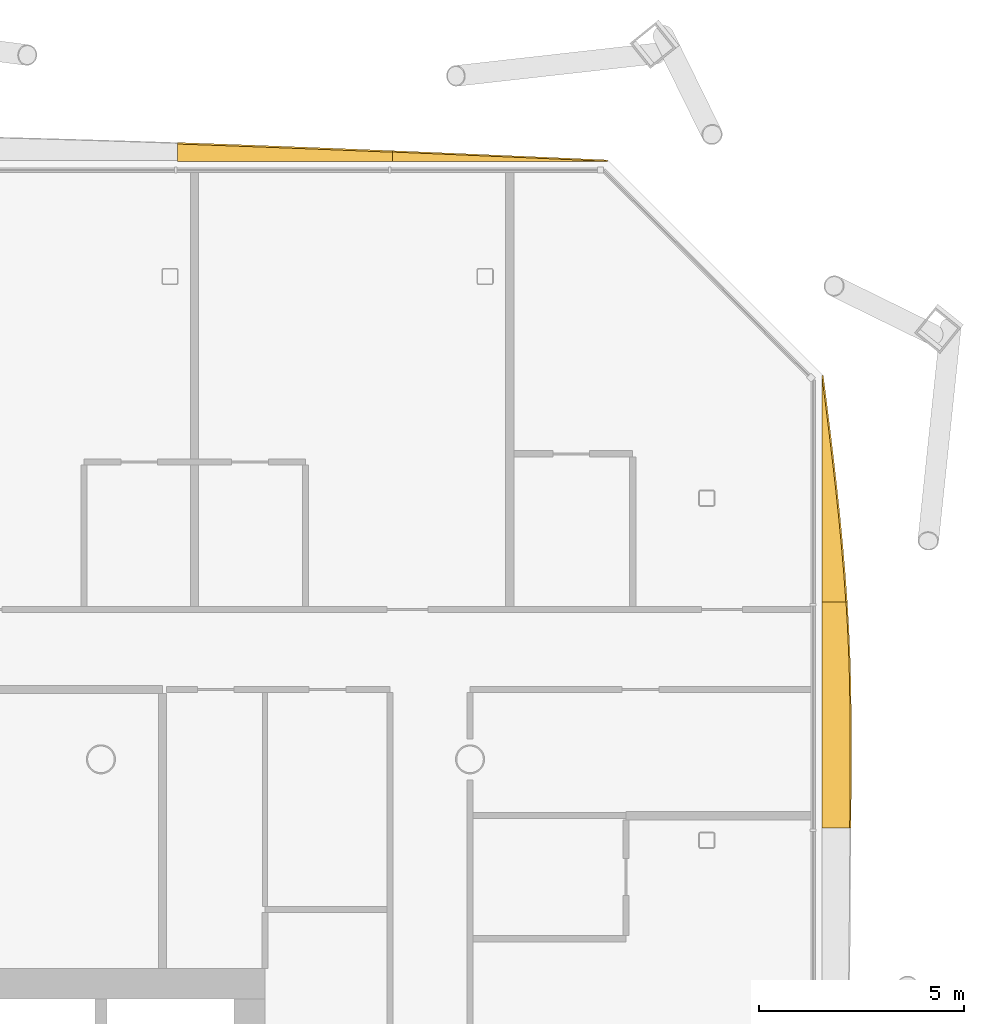
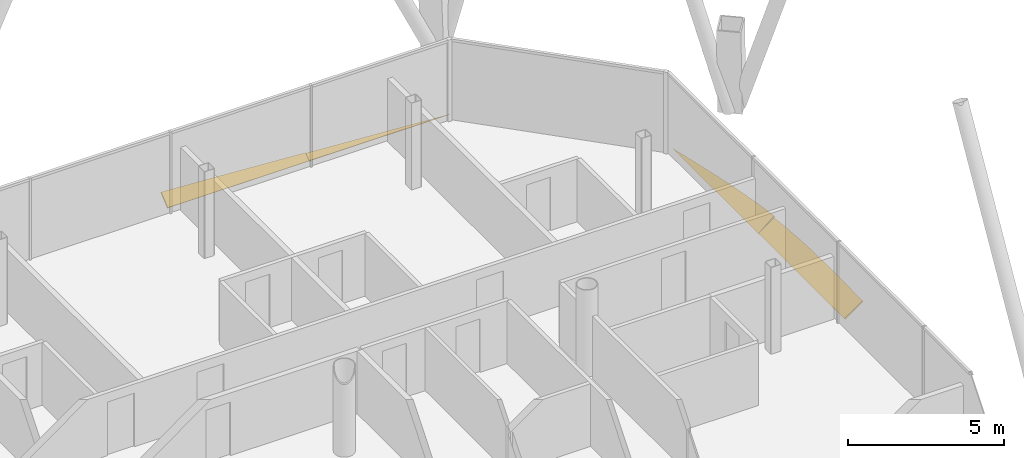
# One storey, part 22 of 22: 4 shading devices.
"""IFC4 building model written with IfcOpenShell, lengths in metres."""

import ifcopenshell
import ifcopenshell.guid

model = None  # the IFC model being written
_history = None  # IfcOwnerHistory: only IFC2X3 demands one
_inside = {}  # id of a spatial element -> (the spatial element, [elements in it])
_under = {}  # id of a project, library or spatial element -> (it, [spatial elements below it])
_declared = {}  # id of a project -> (the project, [libraries it declares])
_typed = {}  # id of a type object -> (the type object, [elements of that type])
_made_of = {}  # id of a material, layer set ... -> (it, [elements and type objects made of it])


def new_model(schema):
    """Start an empty IFC model of exactly this schema.

    Asked for "IFC4X3", IfcOpenShell would pick the latest addendum, in which some entities
    have other attributes; the version numbers below select the first issue.
    IFC2X3 requires an IfcOwnerHistory on every rooted entity: one is made here for all.
    """
    global model, _history
    if schema == "IFC4X3":
        model = ifcopenshell.file(schema_version=(4, 3, 0, 0))
    else:
        model = ifcopenshell.file(schema=schema)
    _inside.clear()
    _under.clear()
    _declared.clear()
    _typed.clear()
    _made_of.clear()
    _history = None
    if model.schema == "IFC2X3":
        org = make("IfcOrganization", Name="unknown")
        user = make(
            "IfcPersonAndOrganization",
            ThePerson=make("IfcPerson", FamilyName="unknown"),
            TheOrganization=org,
        )
        app = make(
            "IfcApplication",
            ApplicationDeveloper=org,
            Version="unknown",
            ApplicationFullName="unknown",
            ApplicationIdentifier="unknown",
        )
        _history = make(
            "IfcOwnerHistory",
            OwningUser=user,
            OwningApplication=app,
            ChangeAction="ADDED",
            CreationDate=0,
        )
    return model


def make(cls, **values):
    """One entity of the class cls with the attributes given. An attribute that is None is left unset."""
    return model.create_entity(
        cls, **{name: value for name, value in values.items() if value is not None}
    )


def rooted(cls, **values):
    """An entity with a GlobalId (a new one), such as an element, a storey or a relation."""
    return make(cls, GlobalId=ifcopenshell.guid.new(), OwnerHistory=_history, **values)


def si_unit(unit_type, name, prefix=None):
    """IfcSIUnit, for example si_unit("LENGTHUNIT", "METRE", prefix="MILLI")."""
    return make("IfcSIUnit", UnitType=unit_type, Prefix=prefix, Name=name)


def assignment(units):
    """IfcUnitAssignment: the units of a project."""
    return None if units is None else make("IfcUnitAssignment", Units=units)


def point(xyz):
    """IfcCartesianPoint."""
    return None if xyz is None else make("IfcCartesianPoint", Coordinates=xyz)


def direction(xyz):
    """IfcDirection."""
    return None if xyz is None else make("IfcDirection", DirectionRatios=xyz)


def frame(location, z_axis=None, x_axis=None):
    """IfcAxis2Placement3D, a coordinate frame: its origin and axes. An axis left out is left unset."""
    return make(
        "IfcAxis2Placement3D",
        Location=point(location),
        Axis=direction(z_axis),
        RefDirection=direction(x_axis),
    )


def origin():
    """The frame at (0, 0, 0) with its axes left unset."""
    return frame((0.0, 0.0, 0.0))


def place(relative_to, where):
    """IfcLocalPlacement: puts the frame where relative to a parent placement (None: the world)."""
    return make(
        "IfcLocalPlacement", PlacementRelTo=relative_to, RelativePlacement=where
    )


def context(
    kind, dimensions, precision=None, world=None, true_north=None, identifier=None
):
    """IfcGeometricRepresentationContext, for example the 3D "Model" context."""
    return make(
        "IfcGeometricRepresentationContext",
        ContextIdentifier=identifier,
        ContextType=kind,
        CoordinateSpaceDimension=dimensions,
        Precision=precision,
        WorldCoordinateSystem=world,
        TrueNorth=true_north,
    )


def subcontext(parent, identifier, kind, view, scale=None):
    """IfcGeometricRepresentationSubContext, for example "Body" below "Model"."""
    return make(
        "IfcGeometricRepresentationSubContext",
        ContextIdentifier=identifier,
        ContextType=kind,
        ParentContext=parent,
        TargetScale=scale,
        TargetView=view,
    )


def project(units=None, contexts=None):
    """IfcProject with its units and contexts."""
    return rooted(
        "IfcProject",
        Name="project",
        RepresentationContexts=contexts,
        UnitsInContext=assignment(units),
    )


def spatial(cls, under=None, at=None, **own):
    """A site, building, storey or space (cls), placed at a placement, below another one or the project."""
    s = rooted(cls, ObjectPlacement=at, **own)
    if under is not None:
        _under.setdefault(under.id(), (under, []))[1].append(s)
    return s


def polyline(points):
    """IfcPolyline through the points."""
    return make("IfcPolyline", Points=[point(p) for p in points])


def outline(outer, holes=None, kind="AREA"):
    """IfcArbitraryClosedProfileDef: a profile drawn as a closed curve; with holes, ...WithVoids."""
    if holes is None:
        return make("IfcArbitraryClosedProfileDef", ProfileType=kind, OuterCurve=outer)
    return make(
        "IfcArbitraryProfileDefWithVoids",
        ProfileType=kind,
        OuterCurve=outer,
        InnerCurves=holes,
    )


def extrude(swept, where, along, depth):
    """IfcExtrudedAreaSolid: the profile swept, set in the frame where, extruded along a direction by depth."""
    return make(
        "IfcExtrudedAreaSolid",
        SweptArea=swept,
        Position=where,
        ExtrudedDirection=direction(along),
        Depth=depth,
    )


def shape(context_of_items, identifier, shape_type, items):
    """IfcShapeRepresentation: the items that make up one representation, for example the "Body"."""
    return make(
        "IfcShapeRepresentation",
        ContextOfItems=context_of_items,
        RepresentationIdentifier=identifier,
        RepresentationType=shape_type,
        Items=items,
    )


def material(Name=None, Category=None):
    """IfcMaterial."""
    return make("IfcMaterial", Name=Name, Category=Category)


def layer(
    of_material, thickness, ventilated=None, Name=None, Category=None, Priority=None
):
    """IfcMaterialLayer: one layer of a wall or slab, of a material (None: an air gap)."""
    return make(
        "IfcMaterialLayer",
        Material=of_material,
        LayerThickness=thickness,
        IsVentilated=ventilated,
        Name=Name,
        Category=Category,
        Priority=Priority,
    )


def layer_set(layers, Name=None):
    """IfcMaterialLayerSet."""
    return make("IfcMaterialLayerSet", MaterialLayers=layers, LayerSetName=Name)


def made_of(thing, what):
    """Note that an element or type object is made of a material, layer set ...; save() writes the relation."""
    if what is not None:
        _made_of.setdefault(what.id(), (what, []))[1].append(thing)
    return thing


def type_object(cls, material=None, **own):
    """A type object (cls), such as IfcWallType, which elements share."""
    return made_of(rooted(cls, **own), material)


def element(
    cls,
    number,
    at=None,
    inside=None,
    cuts=None,
    type_object=None,
    material=None,
    context=None,
    identifier="Body",
    shape_type=None,
    held_by="IfcProductDefinitionShape",
    body=None,
    shapes=None,
    **own,
):
    """One element of the class cls, such as IfcWall. Its Tag is "e" and its number.

    at: its placement. inside: the storey or other place that contains it. cuts: it is an
    opening in that element (IfcRelVoidsElement). A single representation is given by context,
    identifier, shape_type and body (its items); several are given by shapes. held_by: the class
    of the entity that holds the representations. save() writes the other relations.
    """
    e = rooted(cls, Tag="e%d" % number, ObjectPlacement=at, **own)
    if body is not None:
        shapes = [shape(context, identifier, shape_type, body)]
    if shapes is not None:
        e.Representation = make(held_by, Representations=shapes)
    if inside is not None:
        _inside.setdefault(inside.id(), (inside, []))[1].append(e)
    if cuts is not None:
        rooted(
            "IfcRelVoidsElement", RelatingBuildingElement=cuts, RelatedOpeningElement=e
        )
    if type_object is not None:
        _typed.setdefault(type_object.id(), (type_object, []))[1].append(e)
    return made_of(e, material)


def aggregate(whole, parts):
    """IfcRelAggregates: a whole, such as a stair, and the parts it consists of."""
    return rooted("IfcRelAggregates", RelatingObject=whole, RelatedObjects=parts)


def save(model, path):
    """Write the relations noted so far, then the file.

    IfcRelAggregates (storeys below a building ...), IfcRelContainedInSpatialStructure (elements
    in a storey), IfcRelDefinesByType, IfcRelAssociatesMaterial and IfcRelDeclares: one each for
    every whole, place, type object, material and project.
    """
    for whole, parts in _under.values():
        aggregate(whole, parts)
    for where, things in _inside.values():
        rooted(
            "IfcRelContainedInSpatialStructure",
            RelatedElements=things,
            RelatingStructure=where,
        )
    for kind, things in _typed.values():
        rooted("IfcRelDefinesByType", RelatedObjects=things, RelatingType=kind)
    for what, things in _made_of.values():
        rooted("IfcRelAssociatesMaterial", RelatedObjects=things, RelatingMaterial=what)
    for by, libraries in _declared.values():
        rooted("IfcRelDeclares", RelatingContext=by, RelatedDefinitions=libraries)
    model.write(path)


model = new_model("IFC4")

# Units and contexts
model_context = context("Model", 3, precision=1e-05, world=origin(), true_north=direction((0.0, 1.0)))
body_context = subcontext(model_context, "Body", "Model", "MODEL_VIEW")
ifc_project = project(units=[si_unit("LENGTHUNIT", "METRE"), si_unit("AREAUNIT", "SQUARE_METRE"), si_unit("VOLUMEUNIT", "CUBIC_METRE"), si_unit("PLANEANGLEUNIT", "RADIAN"), si_unit("MASSUNIT", "GRAM", prefix="KILO")], contexts=[model_context])

# Site, building, storey
site_placement = place(None, origin())
site = spatial("IfcSite", under=ifc_project, at=site_placement, CompositionType="ELEMENT")
building_placement = place(site_placement, origin())
building = spatial("IfcBuilding", under=site, at=building_placement, Name="Tskaro Facet Tower", CompositionType="ELEMENT")
storey_placement = place(building_placement, frame((0.0, 0.0, 121.5)))
storey = spatial("IfcBuildingStorey", under=building, at=storey_placement, Name="L28", CompositionType="ELEMENT", Elevation=121.5)

# Shading devices
ifc_material = material(Name="Bronze anodised aluminium 6063-T6", Category="aluminium")
ifc_layer = layer(ifc_material, 0.06005859375, Name="Bronze anodised aluminium 6063-T6")
ifc_layer_set = layer_set([ifc_layer], Name="Bronze anodised aluminium 6063-T6")
shading_device_type = type_object("IfcShadingDeviceType", Name="Bronze sun blade (FN1)", PredefinedType="USERDEFINED", material=ifc_layer_set)
shading_device_1_placement = place(storey_placement, frame((26.58251953125, 7.32080078125, 0.049072265625), z_axis=(-0.573615232666, 9.26294e-07, 0.819124877447), x_axis=(5.31337e-07, 1.0, -7.58751e-07)))
element("IfcShadingDevice", 1, at=shading_device_1_placement, inside=storey, type_object=shading_device_type, Name="Fin blade east 6", ObjectType="FIN", PredefinedType="USERDEFINED", context=body_context, shape_type="SweptSolid", body=[
    extrude(outline(polyline([(0.0, 0.0), (5.518066406247633, 0.0), (5.518066406222882, -0.7141478434516543), (4.828369140514058, -0.7633897799184777), (4.138427734289215, -0.8000312032425329), (3.4487304689093956, -0.8233920645419279), (2.7590332031751945, -0.8330124616194772), (2.615478515619735, -0.8333524860604229), (2.0693359375504903, -0.8330124616194772), (1.379394531207908, -0.8315924249775739), (0.6896972656568883, -0.8291523150128335), (-4.25307914997846e-11, -0.8256321928471355), (0.0, 0.0)])), origin(), (0.0, 0.0, -1.0), 0.06005859375),
])
shading_device_2_placement = place(storey_placement, frame((26.578369140625, 12.8388671875, 0.0458984375), z_axis=(-0.642788075739, 1.6754483e-05, 0.766044051871), x_axis=(1.0769582e-05, 0.99999999986, -1.2834672e-05)))
element("IfcShadingDevice", 2, at=shading_device_2_placement, inside=storey, type_object=shading_device_type, Name="Fin blade east 7", ObjectType="FIN", PredefinedType="USERDEFINED", context=body_context, shape_type="SweptSolid", body=[
    extrude(outline(polyline([(0.0, 0.0), (5.518066405475505, -9.347968102461766e-21), (4.828369140690378, -0.1143772034875262), (4.13867187579682, -0.22684761872040943), (3.4487304669279704, -0.3356613881265821), (2.759033204121553, -0.4387848845598781), (2.069335934614484, -0.5345950893397531), (1.379638671948968, -0.6217763734234991), (0.6896972664953861, -0.6985487874479965), (-1.6131050871102576e-09, -0.7636934494710085), (0.0, 0.0)])), origin(), (0.0, 0.0, -1.0), 0.06005859375),
])
shading_device_3_placement = place(storey_placement, frame((21.35693359375, 23.58251953125, 0.049072265625), z_axis=(8.1933e-08, -0.573816688132, 0.818983765664), x_axis=(-1.0, -4.7015e-08, 6.7102e-08)))
element("IfcShadingDevice", 3, at=shading_device_3_placement, inside=storey, type_object=shading_device_type, Name="Fin blade north 1", ObjectType="FIN", PredefinedType="USERDEFINED", context=body_context, shape_type="SweptSolid", body=[
    extrude(outline(polyline([(0.0, 0.0), (5.244873046874982, -3.470765839741542e-23), (5.244873046875073, -0.27485073546765165), (4.495605468744874, -0.23664921595181304), (3.7463378906261546, -0.19824774922756036), (2.997070312497626, -0.1591662041567276), (2.2478027343756715, -0.11954467270419072), (1.4985351562537172, -0.07992314125165384), (0.7492675781268586, -0.03996157062582692), (0.0, 0.0)])), origin(), (0.0, 0.0, -1.0), 0.06005859375),
])
shading_device_4_placement = place(storey_placement, frame((16.112060546875, 23.578369140625, 0.0458984375), z_axis=(2.905542e-06, -0.642724060071, 0.766097763081), x_axis=(-0.999999999996, -1.867462e-06, 2.225929e-06)))
element("IfcShadingDevice", 4, at=shading_device_4_placement, inside=storey, type_object=shading_device_type, Name="Fin blade north 2", ObjectType="FIN", PredefinedType="USERDEFINED", context=body_context, shape_type="SweptSolid", body=[
    extrude(outline(polyline([(0.0, 0.0), (5.244873046852861, -1.1106450687172933e-21), (5.244873047055911, -0.5548818499260253), (4.495605468808287, -0.5207466873145443), (3.7463378907540363, -0.48539263719511483), (2.9970703124372364, -0.44900673515442724), (2.2478027343138107, -0.41140194560579113), (1.498535156015352, -0.3731092547763162), (0.7492675779977834, -0.3339416270793121), (2.611052788038743e-10, -0.2938990625147788), (0.0, 0.0)])), origin(), (0.0, 0.0, -1.0), 0.06005859375),
])

save(model, "model.ifc")
